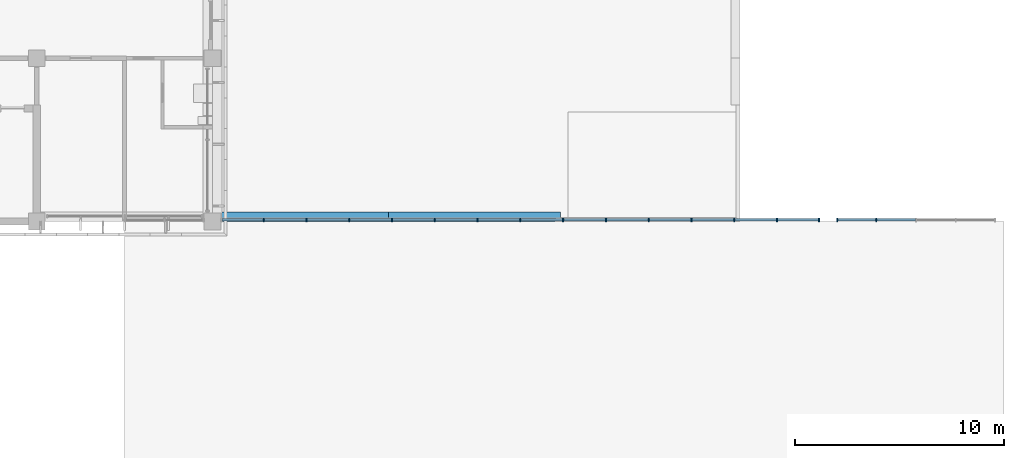
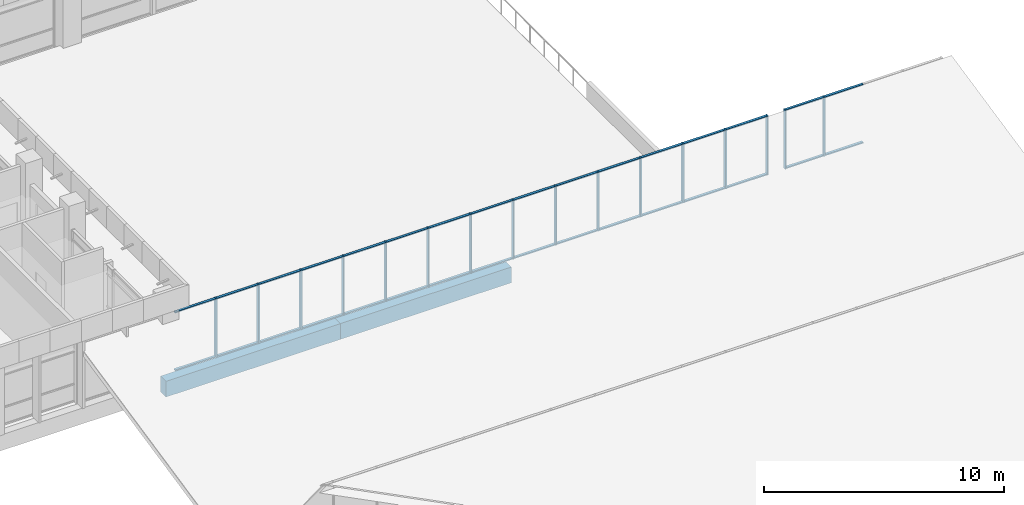
# One storey, part 38 of 137: 48 members, 2 beams, 2 elements without a shape of their own.
"""IFC4 building model written with IfcOpenShell, lengths in metres."""

from ifc_helpers import new_model, si_unit, direction, frame, origin, origin_2d, place, context, subcontext, project, spatial, rectangle, extrude, material, material_profile, profile_set, type_object, element, aggregate, save


model = new_model("IFC4")

# Units and contexts
model_context = context("Model", 3, precision=1e-05, world=origin(), true_north=direction((0.0, 1.0)))
body_context = subcontext(model_context, "Body", "Model", "MODEL_VIEW")
ifc_project = project(units=[si_unit("LENGTHUNIT", "METRE"), si_unit("AREAUNIT", "SQUARE_METRE"), si_unit("VOLUMEUNIT", "CUBIC_METRE"), si_unit("PLANEANGLEUNIT", "RADIAN"), si_unit("MASSUNIT", "GRAM", prefix="KILO")], contexts=[model_context])

# Site, building, storey
site_placement = place(None, origin())
site = spatial("IfcSite", under=ifc_project, at=site_placement, CompositionType="ELEMENT")
building_placement = place(site_placement, origin())
building = spatial("IfcBuilding", under=site, at=building_placement, Name="Bougainvillea Quay General Hospital", CompositionType="ELEMENT")
storey_placement = place(building_placement, frame((0.0, 0.0, 16.800048828125)))
storey = spatial("IfcBuildingStorey", under=building, at=storey_placement, Name="L03", CompositionType="ELEMENT", Elevation=16.800048828125)

# Curtain wall, members
ifc_material_1 = material(Name="Aluminium curtain wall system, powder-coated glazed", Category="aluminium")
curtain_wall_type = type_object("IfcCurtainWallType", Name="Unitised curtain wall CW-2100", PredefinedType="NOTDEFINED", material=ifc_material_1)
curtain_wall_1_placement = place(storey_placement, origin())
curtain_wall_1 = element("IfcCurtainWall", 1, at=curtain_wall_1_placement, inside=storey, type_object=curtain_wall_type, Name="ST-G3 GL2_1", PredefinedType="NOTDEFINED")
ifc_material_2 = material(Name="Aluminium mullion, powder-coated charcoal", Category="aluminium")
ifc_material_profile_1 = material_profile(ifc_material_2, rectangle(XDim=0.159912109375, YDim=0.06005859375, at=origin_2d()))
ifc_profile_set_1 = profile_set([ifc_material_profile_1], Name="Aluminium mullion, powder-coated charcoal")
member_type_1 = type_object("IfcMemberType", Name="Curtain wall mullion 160x60", PredefinedType="MULLION", material=ifc_profile_set_1)
member_1_placement = place(storey_placement, frame((170.44287109375, 117.679931640625, 0.0), z_axis=(0.0, 0.0, 1.0), x_axis=(0.0, 1.0, 0.0)))
member_1 = element("IfcMember", 2, at=member_1_placement, type_object=member_type_1, Name="ST-G3 mullion 2", PredefinedType="MULLION", context=body_context, shape_type="SweptSolid", body=[
    extrude(rectangle(XDim=0.159912109375, YDim=0.06005859375, at=origin_2d()), origin(), (0.0, 0.0, 1.0), 3.0),
])
member_2_placement = place(storey_placement, frame((172.485595703125, 117.679931640625, 0.0), z_axis=(0.0, 0.0, 1.0), x_axis=(0.0, 1.0, 0.0)))
member_2 = element("IfcMember", 3, at=member_2_placement, type_object=member_type_1, Name="ST-G3 mullion 3", PredefinedType="MULLION", context=body_context, shape_type="SweptSolid", body=[
    extrude(rectangle(XDim=0.159912109375, YDim=0.06005859375, at=origin_2d()), origin(), (0.0, 0.0, 1.0), 3.0),
])
member_3_placement = place(storey_placement, frame((174.528564453125, 117.679931640625, 0.0), z_axis=(0.0, 0.0, 1.0), x_axis=(0.0, 1.0, 0.0)))
member_3 = element("IfcMember", 4, at=member_3_placement, type_object=member_type_1, Name="ST-G3 mullion 4", PredefinedType="MULLION", context=body_context, shape_type="SweptSolid", body=[
    extrude(rectangle(XDim=0.159912109375, YDim=0.06005859375, at=origin_2d()), origin(), (0.0, 0.0, 1.0), 3.0),
])
member_4_placement = place(storey_placement, frame((176.571533203125, 117.679931640625, 0.0), z_axis=(0.0, 0.0, 1.0), x_axis=(0.0, 1.0, 0.0)))
member_4 = element("IfcMember", 5, at=member_4_placement, type_object=member_type_1, Name="ST-G3 mullion 5", PredefinedType="MULLION", context=body_context, shape_type="SweptSolid", body=[
    extrude(rectangle(XDim=0.159912109375, YDim=0.06005859375, at=origin_2d()), origin(), (0.0, 0.0, 1.0), 3.0),
])
member_5_placement = place(storey_placement, frame((178.6142578125, 117.679931640625, 0.0), z_axis=(0.0, 0.0, 1.0), x_axis=(0.0, 1.0, 0.0)))
member_5 = element("IfcMember", 6, at=member_5_placement, type_object=member_type_1, Name="ST-G3 mullion 6", PredefinedType="MULLION", context=body_context, shape_type="SweptSolid", body=[
    extrude(rectangle(XDim=0.159912109375, YDim=0.06005859375, at=origin_2d()), origin(), (0.0, 0.0, 1.0), 3.0),
])
member_6_placement = place(storey_placement, frame((180.6572265625, 117.679931640625, 0.0), z_axis=(0.0, 0.0, 1.0), x_axis=(0.0, 1.0, 0.0)))
member_6 = element("IfcMember", 7, at=member_6_placement, type_object=member_type_1, Name="ST-G3 mullion 7", PredefinedType="MULLION", context=body_context, shape_type="SweptSolid", body=[
    extrude(rectangle(XDim=0.159912109375, YDim=0.06005859375, at=origin_2d()), origin(), (0.0, 0.0, 1.0), 3.0),
])
member_7_placement = place(storey_placement, frame((182.699951171875, 117.679931640625, 0.0), z_axis=(0.0, 0.0, 1.0), x_axis=(0.0, 1.0, 0.0)))
member_7 = element("IfcMember", 8, at=member_7_placement, type_object=member_type_1, Name="ST-G3 mullion 8", PredefinedType="MULLION", context=body_context, shape_type="SweptSolid", body=[
    extrude(rectangle(XDim=0.159912109375, YDim=0.06005859375, at=origin_2d()), origin(), (0.0, 0.0, 1.0), 3.0),
])
member_8_placement = place(storey_placement, frame((184.742919921875, 117.679931640625, 0.0), z_axis=(0.0, 0.0, 1.0), x_axis=(0.0, 1.0, 0.0)))
member_8 = element("IfcMember", 9, at=member_8_placement, type_object=member_type_1, Name="ST-G3 mullion 9", PredefinedType="MULLION", context=body_context, shape_type="SweptSolid", body=[
    extrude(rectangle(XDim=0.159912109375, YDim=0.06005859375, at=origin_2d()), origin(), (0.0, 0.0, 1.0), 3.0),
])
member_9_placement = place(storey_placement, frame((186.78564453125, 117.679931640625, 0.0), z_axis=(0.0, 0.0, 1.0), x_axis=(0.0, 1.0, 0.0)))
member_9 = element("IfcMember", 10, at=member_9_placement, type_object=member_type_1, Name="ST-G3 mullion 10", PredefinedType="MULLION", context=body_context, shape_type="SweptSolid", body=[
    extrude(rectangle(XDim=0.159912109375, YDim=0.06005859375, at=origin_2d()), origin(), (0.0, 0.0, 1.0), 3.0),
])
member_10_placement = place(storey_placement, frame((188.82861328125, 117.679931640625, 0.0), z_axis=(0.0, 0.0, 1.0), x_axis=(0.0, 1.0, 0.0)))
member_10 = element("IfcMember", 11, at=member_10_placement, type_object=member_type_1, Name="ST-G3 mullion 11", PredefinedType="MULLION", context=body_context, shape_type="SweptSolid", body=[
    extrude(rectangle(XDim=0.159912109375, YDim=0.06005859375, at=origin_2d()), origin(), (0.0, 0.0, 1.0), 3.0),
])
member_11_placement = place(storey_placement, frame((190.871337890625, 117.679931640625, 0.0), z_axis=(0.0, 0.0, 1.0), x_axis=(0.0, 1.0, 0.0)))
member_11 = element("IfcMember", 12, at=member_11_placement, type_object=member_type_1, Name="ST-G3 mullion 12", PredefinedType="MULLION", context=body_context, shape_type="SweptSolid", body=[
    extrude(rectangle(XDim=0.159912109375, YDim=0.06005859375, at=origin_2d()), origin(), (0.0, 0.0, 1.0), 3.0),
])
member_12_placement = place(storey_placement, frame((192.914306640625, 117.679931640625, 0.0), z_axis=(0.0, 0.0, 1.0), x_axis=(0.0, 1.0, 0.0)))
member_12 = element("IfcMember", 13, at=member_12_placement, type_object=member_type_1, Name="ST-G3 mullion 13", PredefinedType="MULLION", context=body_context, shape_type="SweptSolid", body=[
    extrude(rectangle(XDim=0.159912109375, YDim=0.06005859375, at=origin_2d()), origin(), (0.0, 0.0, 1.0), 3.0),
])
member_13_placement = place(storey_placement, frame((194.95703125, 117.679931640625, 0.0), z_axis=(0.0, 0.0, 1.0), x_axis=(0.0, 1.0, 0.0)))
member_13 = element("IfcMember", 14, at=member_13_placement, type_object=member_type_1, Name="ST-G3 mullion 14", PredefinedType="MULLION", context=body_context, shape_type="SweptSolid", body=[
    extrude(rectangle(XDim=0.159912109375, YDim=0.06005859375, at=origin_2d()), origin(), (0.0, 0.0, 1.0), 3.0),
])
member_14_placement = place(storey_placement, frame((196.969970703125, 117.679931640625, 0.0), z_axis=(0.0, 0.0, 1.0), x_axis=(0.0, 1.0, 0.0)))
member_14 = element("IfcMember", 15, at=member_14_placement, type_object=member_type_1, Name="ST-G3 mullion 15", PredefinedType="MULLION", context=body_context, shape_type="SweptSolid", body=[
    extrude(rectangle(XDim=0.159912109375, YDim=0.06005859375, at=origin_2d()), origin(), (0.0, 0.0, 1.0), 3.0),
])

curtain_wall_2_placement = place(storey_placement, origin())
curtain_wall_2 = element("IfcCurtainWall", 16, at=curtain_wall_2_placement, inside=storey, type_object=curtain_wall_type, Name="ST-G3 GL2_2", PredefinedType="NOTDEFINED")
member_15_placement = place(storey_placement, frame((197.830078125, 117.679931640625, 0.0), z_axis=(0.0, 0.0, 1.0), x_axis=(0.0, 1.0, 0.0)))
member_15 = element("IfcMember", 17, at=member_15_placement, type_object=member_type_1, Name="ST-G3 mullion 1", PredefinedType="MULLION", context=body_context, shape_type="SweptSolid", body=[
    extrude(rectangle(XDim=0.159912109375, YDim=0.06005859375, at=origin_2d()), origin(), (0.0, 0.0, 1.0), 3.0),
])
member_16_placement = place(storey_placement, frame((199.699951171875, 117.679931640625, 0.0), z_axis=(0.0, 0.0, 1.0), x_axis=(0.0, 1.0, 0.0)))
member_16 = element("IfcMember", 18, at=member_16_placement, type_object=member_type_1, Name="ST-G3 mullion 2", PredefinedType="MULLION", context=body_context, shape_type="SweptSolid", body=[
    extrude(rectangle(XDim=0.159912109375, YDim=0.06005859375, at=origin_2d()), origin(), (0.0, 0.0, 1.0), 3.0),
])

# Member
ifc_material_3 = material(Name="Aluminium transom, powder-coated charcoal", Category="aluminium")
ifc_material_profile_2 = material_profile(ifc_material_3, rectangle(XDim=0.1201171875, YDim=0.06005859375, at=origin_2d()))
ifc_profile_set_2 = profile_set([ifc_material_profile_2], Name="Aluminium transom, powder-coated charcoal")
member_type_2 = type_object("IfcMemberType", Name="Curtain wall transom 120x60", PredefinedType="USERDEFINED", material=ifc_profile_set_2)
member_17_placement = place(storey_placement, frame((168.4599609375, 117.679931640625, 0.030029296875), z_axis=(1.0, 0.0, 0.0), x_axis=(0.0, 1.0, 0.0)))
member_17 = element("IfcMember", 19, at=member_17_placement, type_object=member_type_2, Name="ST-G3 transom 1.1", ObjectType="TRANSOM", PredefinedType="USERDEFINED", context=body_context, shape_type="SweptSolid", body=[
    extrude(rectangle(XDim=0.1201171875, YDim=0.06005859375, at=origin_2d()), origin(), (0.0, 0.0, 1.0), 1.952880859375),
])

member_18_placement = place(storey_placement, frame((168.4599609375, 117.679931640625, 2.969970703125), z_axis=(1.0, 0.0, 0.0), x_axis=(0.0, 1.0, 0.0)))
member_18 = element("IfcMember", 20, at=member_18_placement, type_object=member_type_2, Name="ST-G3 transom 1.2", ObjectType="TRANSOM", PredefinedType="USERDEFINED", context=body_context, shape_type="SweptSolid", body=[
    extrude(rectangle(XDim=0.1201171875, YDim=0.06005859375, at=origin_2d()), origin(), (0.0, 0.0, 1.0), 1.952880859375),
])

member_19_placement = place(storey_placement, frame((170.472900390625, 117.679931640625, 0.030029296875), z_axis=(1.0, 0.0, 0.0), x_axis=(0.0, 1.0, 0.0)))
member_19 = element("IfcMember", 21, at=member_19_placement, type_object=member_type_2, Name="ST-G3 transom 2.1", ObjectType="TRANSOM", PredefinedType="USERDEFINED", context=body_context, shape_type="SweptSolid", body=[
    extrude(rectangle(XDim=0.1201171875, YDim=0.06005859375, at=origin_2d()), origin(), (0.0, 0.0, 1.0), 1.98291015625),
])

member_20_placement = place(storey_placement, frame((170.472900390625, 117.679931640625, 2.969970703125), z_axis=(1.0, 0.0, 0.0), x_axis=(0.0, 1.0, 0.0)))
member_20 = element("IfcMember", 22, at=member_20_placement, type_object=member_type_2, Name="ST-G3 transom 2.2", ObjectType="TRANSOM", PredefinedType="USERDEFINED", context=body_context, shape_type="SweptSolid", body=[
    extrude(rectangle(XDim=0.1201171875, YDim=0.06005859375, at=origin_2d()), origin(), (0.0, 0.0, 1.0), 1.98291015625),
])

member_21_placement = place(storey_placement, frame((172.515625, 117.679931640625, 0.030029296875), z_axis=(1.0, 0.0, 0.0), x_axis=(0.0, 1.0, 0.0)))
member_21 = element("IfcMember", 23, at=member_21_placement, type_object=member_type_2, Name="ST-G3 transom 3.1", ObjectType="TRANSOM", PredefinedType="USERDEFINED", context=body_context, shape_type="SweptSolid", body=[
    extrude(rectangle(XDim=0.1201171875, YDim=0.06005859375, at=origin_2d()), origin(), (0.0, 0.0, 1.0), 1.98291015625),
])

member_22_placement = place(storey_placement, frame((172.515625, 117.679931640625, 2.969970703125), z_axis=(1.0, 0.0, 0.0), x_axis=(0.0, 1.0, 0.0)))
member_22 = element("IfcMember", 24, at=member_22_placement, type_object=member_type_2, Name="ST-G3 transom 3.2", ObjectType="TRANSOM", PredefinedType="USERDEFINED", context=body_context, shape_type="SweptSolid", body=[
    extrude(rectangle(XDim=0.1201171875, YDim=0.06005859375, at=origin_2d()), origin(), (0.0, 0.0, 1.0), 1.98291015625),
])

member_23_placement = place(storey_placement, frame((174.55859375, 117.679931640625, 0.030029296875), z_axis=(1.0, 0.0, 0.0), x_axis=(0.0, 1.0, 0.0)))
member_23 = element("IfcMember", 25, at=member_23_placement, type_object=member_type_2, Name="ST-G3 transom 4.1", ObjectType="TRANSOM", PredefinedType="USERDEFINED", context=body_context, shape_type="SweptSolid", body=[
    extrude(rectangle(XDim=0.1201171875, YDim=0.06005859375, at=origin_2d()), origin(), (0.0, 0.0, 1.0), 1.98291015625),
])

member_24_placement = place(storey_placement, frame((174.55859375, 117.679931640625, 2.969970703125), z_axis=(1.0, 0.0, 0.0), x_axis=(0.0, 1.0, 0.0)))
member_24 = element("IfcMember", 26, at=member_24_placement, type_object=member_type_2, Name="ST-G3 transom 4.2", ObjectType="TRANSOM", PredefinedType="USERDEFINED", context=body_context, shape_type="SweptSolid", body=[
    extrude(rectangle(XDim=0.1201171875, YDim=0.06005859375, at=origin_2d()), origin(), (0.0, 0.0, 1.0), 1.98291015625),
])

member_25_placement = place(storey_placement, frame((176.601318359375, 117.679931640625, 0.030029296875), z_axis=(1.0, 0.0, 0.0), x_axis=(0.0, 1.0, 0.0)))
member_25 = element("IfcMember", 27, at=member_25_placement, type_object=member_type_2, Name="ST-G3 transom 5.1", ObjectType="TRANSOM", PredefinedType="USERDEFINED", context=body_context, shape_type="SweptSolid", body=[
    extrude(rectangle(XDim=0.1201171875, YDim=0.06005859375, at=origin_2d()), origin(), (0.0, 0.0, 1.0), 1.98291015625),
])

member_26_placement = place(storey_placement, frame((176.601318359375, 117.679931640625, 2.969970703125), z_axis=(1.0, 0.0, 0.0), x_axis=(0.0, 1.0, 0.0)))
member_26 = element("IfcMember", 28, at=member_26_placement, type_object=member_type_2, Name="ST-G3 transom 5.2", ObjectType="TRANSOM", PredefinedType="USERDEFINED", context=body_context, shape_type="SweptSolid", body=[
    extrude(rectangle(XDim=0.1201171875, YDim=0.06005859375, at=origin_2d()), origin(), (0.0, 0.0, 1.0), 1.98291015625),
])

member_27_placement = place(storey_placement, frame((178.644287109375, 117.679931640625, 0.030029296875), z_axis=(1.0, 0.0, 0.0), x_axis=(0.0, 1.0, 0.0)))
member_27 = element("IfcMember", 29, at=member_27_placement, type_object=member_type_2, Name="ST-G3 transom 6.1", ObjectType="TRANSOM", PredefinedType="USERDEFINED", context=body_context, shape_type="SweptSolid", body=[
    extrude(rectangle(XDim=0.1201171875, YDim=0.06005859375, at=origin_2d()), origin(), (0.0, 0.0, 1.0), 1.98291015625),
])

member_28_placement = place(storey_placement, frame((178.644287109375, 117.679931640625, 2.969970703125), z_axis=(1.0, 0.0, 0.0), x_axis=(0.0, 1.0, 0.0)))
member_28 = element("IfcMember", 30, at=member_28_placement, type_object=member_type_2, Name="ST-G3 transom 6.2", ObjectType="TRANSOM", PredefinedType="USERDEFINED", context=body_context, shape_type="SweptSolid", body=[
    extrude(rectangle(XDim=0.1201171875, YDim=0.06005859375, at=origin_2d()), origin(), (0.0, 0.0, 1.0), 1.98291015625),
])

member_29_placement = place(storey_placement, frame((180.687255859375, 117.679931640625, 0.030029296875), z_axis=(1.0, 0.0, 0.0), x_axis=(0.0, 1.0, 0.0)))
member_29 = element("IfcMember", 31, at=member_29_placement, type_object=member_type_2, Name="ST-G3 transom 7.1", ObjectType="TRANSOM", PredefinedType="USERDEFINED", context=body_context, shape_type="SweptSolid", body=[
    extrude(rectangle(XDim=0.1201171875, YDim=0.06005859375, at=origin_2d()), origin(), (0.0, 0.0, 1.0), 1.982666015625),
])

member_30_placement = place(storey_placement, frame((180.687255859375, 117.679931640625, 2.969970703125), z_axis=(1.0, 0.0, 0.0), x_axis=(0.0, 1.0, 0.0)))
member_30 = element("IfcMember", 32, at=member_30_placement, type_object=member_type_2, Name="ST-G3 transom 7.2", ObjectType="TRANSOM", PredefinedType="USERDEFINED", context=body_context, shape_type="SweptSolid", body=[
    extrude(rectangle(XDim=0.1201171875, YDim=0.06005859375, at=origin_2d()), origin(), (0.0, 0.0, 1.0), 1.982666015625),
])

member_31_placement = place(storey_placement, frame((182.72998046875, 117.679931640625, 0.030029296875), z_axis=(1.0, 0.0, 0.0), x_axis=(0.0, 1.0, 0.0)))
member_31 = element("IfcMember", 33, at=member_31_placement, type_object=member_type_2, Name="ST-G3 transom 8.1", ObjectType="TRANSOM", PredefinedType="USERDEFINED", context=body_context, shape_type="SweptSolid", body=[
    extrude(rectangle(XDim=0.1201171875, YDim=0.06005859375, at=origin_2d()), origin(), (0.0, 0.0, 1.0), 1.98291015625),
])

member_32_placement = place(storey_placement, frame((182.72998046875, 117.679931640625, 2.969970703125), z_axis=(1.0, 0.0, 0.0), x_axis=(0.0, 1.0, 0.0)))
member_32 = element("IfcMember", 34, at=member_32_placement, type_object=member_type_2, Name="ST-G3 transom 8.2", ObjectType="TRANSOM", PredefinedType="USERDEFINED", context=body_context, shape_type="SweptSolid", body=[
    extrude(rectangle(XDim=0.1201171875, YDim=0.06005859375, at=origin_2d()), origin(), (0.0, 0.0, 1.0), 1.98291015625),
])

member_33_placement = place(storey_placement, frame((184.77294921875, 117.679931640625, 0.030029296875), z_axis=(1.0, 0.0, 0.0), x_axis=(0.0, 1.0, 0.0)))
member_33 = element("IfcMember", 35, at=member_33_placement, type_object=member_type_2, Name="ST-G3 transom 9.1", ObjectType="TRANSOM", PredefinedType="USERDEFINED", context=body_context, shape_type="SweptSolid", body=[
    extrude(rectangle(XDim=0.1201171875, YDim=0.06005859375, at=origin_2d()), origin(), (0.0, 0.0, 1.0), 1.982666015625),
])

member_34_placement = place(storey_placement, frame((184.77294921875, 117.679931640625, 2.969970703125), z_axis=(1.0, 0.0, 0.0), x_axis=(0.0, 1.0, 0.0)))
member_34 = element("IfcMember", 36, at=member_34_placement, type_object=member_type_2, Name="ST-G3 transom 9.2", ObjectType="TRANSOM", PredefinedType="USERDEFINED", context=body_context, shape_type="SweptSolid", body=[
    extrude(rectangle(XDim=0.1201171875, YDim=0.06005859375, at=origin_2d()), origin(), (0.0, 0.0, 1.0), 1.982666015625),
])

member_35_placement = place(storey_placement, frame((186.815673828125, 117.679931640625, 0.030029296875), z_axis=(1.0, 0.0, 0.0), x_axis=(0.0, 1.0, 0.0)))
member_35 = element("IfcMember", 37, at=member_35_placement, type_object=member_type_2, Name="ST-G3 transom 10.1", ObjectType="TRANSOM", PredefinedType="USERDEFINED", context=body_context, shape_type="SweptSolid", body=[
    extrude(rectangle(XDim=0.1201171875, YDim=0.06005859375, at=origin_2d()), origin(), (0.0, 0.0, 1.0), 1.98291015625),
])

member_36_placement = place(storey_placement, frame((186.815673828125, 117.679931640625, 2.969970703125), z_axis=(1.0, 0.0, 0.0), x_axis=(0.0, 1.0, 0.0)))
member_36 = element("IfcMember", 38, at=member_36_placement, type_object=member_type_2, Name="ST-G3 transom 10.2", ObjectType="TRANSOM", PredefinedType="USERDEFINED", context=body_context, shape_type="SweptSolid", body=[
    extrude(rectangle(XDim=0.1201171875, YDim=0.06005859375, at=origin_2d()), origin(), (0.0, 0.0, 1.0), 1.98291015625),
])

member_37_placement = place(storey_placement, frame((188.858642578125, 117.679931640625, 0.030029296875), z_axis=(1.0, 0.0, 0.0), x_axis=(0.0, 1.0, 0.0)))
member_37 = element("IfcMember", 39, at=member_37_placement, type_object=member_type_2, Name="ST-G3 transom 11.1", ObjectType="TRANSOM", PredefinedType="USERDEFINED", context=body_context, shape_type="SweptSolid", body=[
    extrude(rectangle(XDim=0.1201171875, YDim=0.06005859375, at=origin_2d()), origin(), (0.0, 0.0, 1.0), 1.982666015625),
])

member_38_placement = place(storey_placement, frame((188.858642578125, 117.679931640625, 2.969970703125), z_axis=(1.0, 0.0, 0.0), x_axis=(0.0, 1.0, 0.0)))
member_38 = element("IfcMember", 40, at=member_38_placement, type_object=member_type_2, Name="ST-G3 transom 11.2", ObjectType="TRANSOM", PredefinedType="USERDEFINED", context=body_context, shape_type="SweptSolid", body=[
    extrude(rectangle(XDim=0.1201171875, YDim=0.06005859375, at=origin_2d()), origin(), (0.0, 0.0, 1.0), 1.982666015625),
])

member_39_placement = place(storey_placement, frame((190.9013671875, 117.679931640625, 0.030029296875), z_axis=(1.0, 0.0, 0.0), x_axis=(0.0, 1.0, 0.0)))
member_39 = element("IfcMember", 41, at=member_39_placement, type_object=member_type_2, Name="ST-G3 transom 12.1", ObjectType="TRANSOM", PredefinedType="USERDEFINED", context=body_context, shape_type="SweptSolid", body=[
    extrude(rectangle(XDim=0.1201171875, YDim=0.06005859375, at=origin_2d()), origin(), (0.0, 0.0, 1.0), 1.98291015625),
])

member_40_placement = place(storey_placement, frame((190.9013671875, 117.679931640625, 2.969970703125), z_axis=(1.0, 0.0, 0.0), x_axis=(0.0, 1.0, 0.0)))
member_40 = element("IfcMember", 42, at=member_40_placement, type_object=member_type_2, Name="ST-G3 transom 12.2", ObjectType="TRANSOM", PredefinedType="USERDEFINED", context=body_context, shape_type="SweptSolid", body=[
    extrude(rectangle(XDim=0.1201171875, YDim=0.06005859375, at=origin_2d()), origin(), (0.0, 0.0, 1.0), 1.98291015625),
])

member_41_placement = place(storey_placement, frame((192.9443359375, 117.679931640625, 0.030029296875), z_axis=(1.0, 0.0, 0.0), x_axis=(0.0, 1.0, 0.0)))
member_41 = element("IfcMember", 43, at=member_41_placement, type_object=member_type_2, Name="ST-G3 transom 13.1", ObjectType="TRANSOM", PredefinedType="USERDEFINED", context=body_context, shape_type="SweptSolid", body=[
    extrude(rectangle(XDim=0.1201171875, YDim=0.06005859375, at=origin_2d()), origin(), (0.0, 0.0, 1.0), 1.98291015625),
])

member_42_placement = place(storey_placement, frame((192.9443359375, 117.679931640625, 2.969970703125), z_axis=(1.0, 0.0, 0.0), x_axis=(0.0, 1.0, 0.0)))
member_42 = element("IfcMember", 44, at=member_42_placement, type_object=member_type_2, Name="ST-G3 transom 13.2", ObjectType="TRANSOM", PredefinedType="USERDEFINED", context=body_context, shape_type="SweptSolid", body=[
    extrude(rectangle(XDim=0.1201171875, YDim=0.06005859375, at=origin_2d()), origin(), (0.0, 0.0, 1.0), 1.98291015625),
])

member_43_placement = place(storey_placement, frame((194.987060546875, 117.679931640625, 0.030029296875), z_axis=(1.0, 0.0, 0.0), x_axis=(0.0, 1.0, 0.0)))
member_43 = element("IfcMember", 45, at=member_43_placement, type_object=member_type_2, Name="ST-G3 transom 14.1", ObjectType="TRANSOM", PredefinedType="USERDEFINED", context=body_context, shape_type="SweptSolid", body=[
    extrude(rectangle(XDim=0.1201171875, YDim=0.06005859375, at=origin_2d()), origin(), (0.0, 0.0, 1.0), 1.952880859375),
])

member_44_placement = place(storey_placement, frame((194.987060546875, 117.679931640625, 2.969970703125), z_axis=(1.0, 0.0, 0.0), x_axis=(0.0, 1.0, 0.0)))
member_44 = element("IfcMember", 46, at=member_44_placement, type_object=member_type_2, Name="ST-G3 transom 14.2", ObjectType="TRANSOM", PredefinedType="USERDEFINED", context=body_context, shape_type="SweptSolid", body=[
    extrude(rectangle(XDim=0.1201171875, YDim=0.06005859375, at=origin_2d()), origin(), (0.0, 0.0, 1.0), 1.952880859375),
])

aggregate(curtain_wall_1, [member_1, member_2, member_3, member_4, member_5, member_6, member_7, member_8, member_9, member_10, member_11, member_12, member_13, member_14, member_17, member_18, member_19, member_20, member_21, member_22, member_23, member_24, member_25, member_26, member_27, member_28, member_29, member_30, member_31, member_32, member_33, member_34, member_35, member_36, member_37, member_38, member_39, member_40, member_41, member_42, member_43, member_44])

member_45_placement = place(storey_placement, frame((197.860107421875, 117.679931640625, 0.030029296875), z_axis=(1.0, 0.0, 0.0), x_axis=(0.0, 1.0, 0.0)))
member_45 = element("IfcMember", 47, at=member_45_placement, type_object=member_type_2, Name="ST-G3 transom 1.1", ObjectType="TRANSOM", PredefinedType="USERDEFINED", context=body_context, shape_type="SweptSolid", body=[
    extrude(rectangle(XDim=0.1201171875, YDim=0.06005859375, at=origin_2d()), origin(), (0.0, 0.0, 1.0), 1.809814453125),
])

member_46_placement = place(storey_placement, frame((197.860107421875, 117.679931640625, 2.969970703125), z_axis=(1.0, 0.0, 0.0), x_axis=(0.0, 1.0, 0.0)))
member_46 = element("IfcMember", 48, at=member_46_placement, type_object=member_type_2, Name="ST-G3 transom 1.2", ObjectType="TRANSOM", PredefinedType="USERDEFINED", context=body_context, shape_type="SweptSolid", body=[
    extrude(rectangle(XDim=0.1201171875, YDim=0.06005859375, at=origin_2d()), origin(), (0.0, 0.0, 1.0), 1.809814453125),
])

member_47_placement = place(storey_placement, frame((199.72998046875, 117.679931640625, 0.030029296875), z_axis=(1.0, 0.0, 0.0), x_axis=(0.0, 1.0, 0.0)))
member_47 = element("IfcMember", 49, at=member_47_placement, type_object=member_type_2, Name="ST-G3 transom 2.1", ObjectType="TRANSOM", PredefinedType="USERDEFINED", context=body_context, shape_type="SweptSolid", body=[
    extrude(rectangle(XDim=0.1201171875, YDim=0.06005859375, at=origin_2d()), origin(), (0.0, 0.0, 1.0), 1.840087890625),
])

member_48_placement = place(storey_placement, frame((199.72998046875, 117.679931640625, 2.969970703125), z_axis=(1.0, 0.0, 0.0), x_axis=(0.0, 1.0, 0.0)))
member_48 = element("IfcMember", 50, at=member_48_placement, type_object=member_type_2, Name="ST-G3 transom 2.2", ObjectType="TRANSOM", PredefinedType="USERDEFINED", context=body_context, shape_type="SweptSolid", body=[
    extrude(rectangle(XDim=0.1201171875, YDim=0.06005859375, at=origin_2d()), origin(), (0.0, 0.0, 1.0), 1.840087890625),
])

aggregate(curtain_wall_2, [member_15, member_16, member_45, member_46, member_47, member_48])

# Beams
ifc_material_4 = material(Name="Concrete C40", Category="concrete")
ifc_material_profile_3 = material_profile(ifc_material_4, rectangle(XDim=0.449951171875, YDim=0.800048828125, at=origin_2d()))
ifc_profile_set_3 = profile_set([ifc_material_profile_3], Name="Concrete C40")
beam_type = type_object("IfcBeamType", Name="RC BEAM 450x800 C40", PredefinedType="BEAM", material=ifc_profile_set_3)
beam_1_placement = place(storey_placement, frame((168.0, 117.824951171875, -0.75), z_axis=(1.0, 0.0, 0.0), x_axis=(0.0, 1.0, 0.0)))
element("IfcBeam", 51, at=beam_1_placement, inside=storey, type_object=beam_type, Name="Edge beam L03", PredefinedType="BEAM", context=body_context, shape_type="SweptSolid", body=[
    extrude(rectangle(XDim=0.449951171875, YDim=0.800048828125, at=origin_2d()), origin(), (0.0, 0.0, 1.0), 8.39990234375),
])
beam_2_placement = place(storey_placement, frame((176.39990234375, 117.824951171875, -0.75), z_axis=(1.0, 0.0, 0.0), x_axis=(0.0, 1.0, 0.0)))
element("IfcBeam", 52, at=beam_2_placement, inside=storey, type_object=beam_type, Name="Edge beam L03", PredefinedType="BEAM", context=body_context, shape_type="SweptSolid", body=[
    extrude(rectangle(XDim=0.449951171875, YDim=0.800048828125, at=origin_2d()), origin(), (0.0, 0.0, 1.0), 8.22509765625),
])

save(model, "model.ifc")
